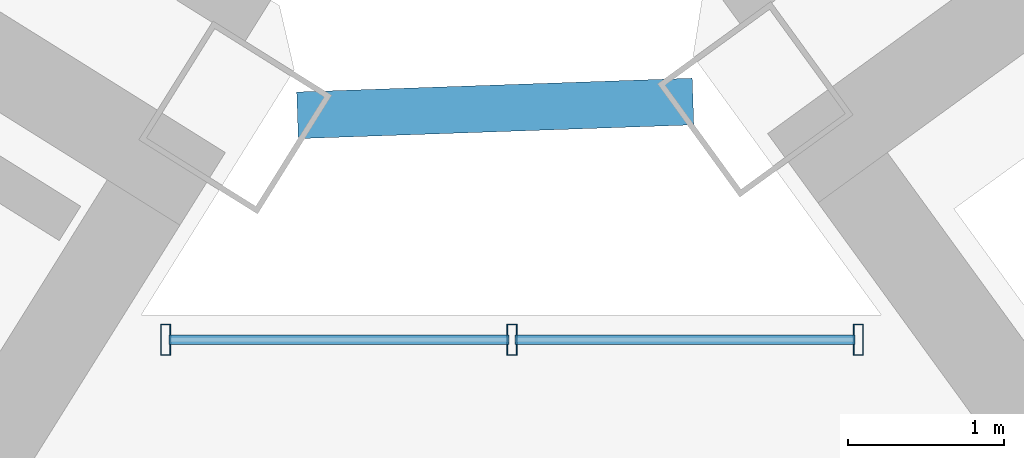
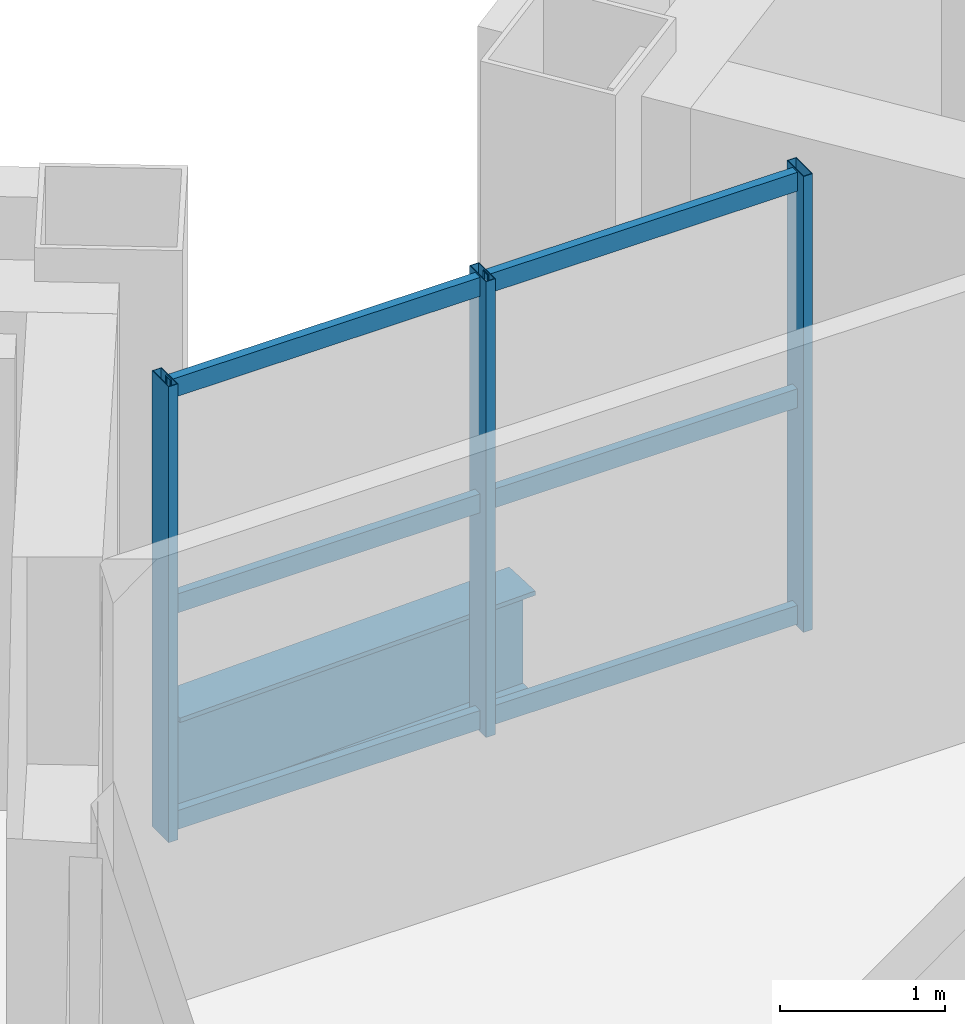
# One storey, part 12 of 25: 9 members, 1 beam, 1 element without a shape of its own.
"""IFC4 building model written with IfcOpenShell, lengths in metres."""

from ifc_helpers import new_model, si_unit, direction, frame, origin, origin_2d, place, context, subcontext, project, spatial, hollow_rectangle, i_section, extrude, source, transform, mapped, material, material_profile, profile_set, type_object, element, aggregate, save


model = new_model("IFC4")

# Units and contexts
model_context = context("Model", 3, precision=1e-05, world=origin(), true_north=direction((0.0, 1.0)))
body_context = subcontext(model_context, "Body", "Model", "MODEL_VIEW")
ifc_project = project(units=[si_unit("LENGTHUNIT", "METRE"), si_unit("AREAUNIT", "SQUARE_METRE"), si_unit("VOLUMEUNIT", "CUBIC_METRE"), si_unit("PLANEANGLEUNIT", "RADIAN"), si_unit("MASSUNIT", "GRAM", prefix="KILO")], contexts=[model_context])

# Site, building, storey
site_placement = place(None, origin())
site = spatial("IfcSite", under=ifc_project, at=site_placement, CompositionType="ELEMENT")
building_placement = place(site_placement, origin())
building = spatial("IfcBuilding", under=site, at=building_placement, Name="Tlacorven Tower", CompositionType="ELEMENT")
storey_placement = place(building_placement, frame((0.0, 0.0, 162.300048828125)))
storey = spatial("IfcBuildingStorey", under=building, at=storey_placement, Name="L41", CompositionType="ELEMENT", Elevation=162.300048828125)

# Beam
ifc_material_1 = material(Name="Steel S355J2", Category="steel")
ifc_material_profile_1 = material_profile(ifc_material_1, i_section(OverallWidth=0.300048828125, OverallDepth=0.800048828125, WebThickness=0.017578125, FlangeThickness=0.032958984375, at=origin_2d()), Name="HEB 800")
ifc_profile_set_1 = profile_set([ifc_material_profile_1], Name="Steel S355J2")
beam_type = type_object("IfcBeamType", Name="BM-POD-800", PredefinedType="BEAM", material=ifc_profile_set_1)
shared_shape_1 = source(origin(), body_context, "Body", "SweptSolid", [
    extrude(i_section(OverallWidth=0.300048828125, OverallDepth=0.800048828125, WebThickness=0.017578125, FlangeThickness=0.032958984375, at=origin_2d()), origin(), (0.0, 0.0, 1.0), 2.542724609375),
])
beam_placement = place(storey_placement, frame((41.1826171875, 24.482421875, -0.650146484375), z_axis=(0.999392467766, 0.034852480142, 0.0), x_axis=(-0.034852480142, 0.999392467766, 0.0)))
element("IfcBeam", 1, at=beam_placement, inside=storey, type_object=beam_type, Name="L41 Knuckle Link Girder 1", PredefinedType="BEAM", context=body_context, shape_type="MappedRepresentation", body=[
    mapped(shared_shape_1, transform((0.0, 0.0, 0.0), scale=1.0)),
])

# Curtain wall, members
ifc_material_2 = material(Name="Dark solar low-E double glazing in aluminium frame", Category="aluminium")
curtain_wall_type = type_object("IfcCurtainWallType", Name="CW-TWR-MID", PredefinedType="USERDEFINED", material=ifc_material_2)
curtain_wall_placement = place(storey_placement, origin())
curtain_wall = element("IfcCurtainWall", 2, at=curtain_wall_placement, inside=storey, type_object=curtain_wall_type, Name="L41 CW-TWR-MID Curtain Wall 189", ObjectType="UNITISED CURTAIN WALL", PredefinedType="USERDEFINED")
ifc_material_3 = material(Name="Aluminium 6063-T6 anodised", Category="aluminium")
ifc_material_profile_2 = material_profile(ifc_material_3, hollow_rectangle(XDim=0.06494140625, YDim=0.199951171875, WallThickness=0.00439453125, at=origin_2d()), Name="ALU MULLION 65X200")
ifc_profile_set_2 = profile_set([ifc_material_profile_2], Name="Aluminium 6063-T6 anodised")
member_type_1 = type_object("IfcMemberType", Name="CWM-02", PredefinedType="MULLION", material=ifc_profile_set_2)
shared_shape_2 = source(origin(), body_context, "Body", "SweptSolid", [
    extrude(hollow_rectangle(XDim=0.06494140625, YDim=0.199951171875, WallThickness=0.00439453125, at=origin_2d()), origin(), (0.0, 0.0, 1.0), 3.3798828125),
])
member_1_placement = place(storey_placement, frame((40.33544921875, 23.0400390625, -0.02001953125), z_axis=(0.0, 0.0, 1.0), x_axis=(1.0, 0.0, 0.0)))
member_1 = element("IfcMember", 3, at=member_1_placement, type_object=member_type_1, Name="CW-L41-189 Mullion 1", PredefinedType="MULLION", context=body_context, shape_type="MappedRepresentation", body=[
    mapped(shared_shape_2, transform((0.0, 0.0, 0.0), scale=1.0)),
])
member_2_placement = place(storey_placement, frame((42.560791015625, 23.0400390625, -0.02001953125), z_axis=(0.0, 0.0, 1.0), x_axis=(1.0, 0.0, 0.0)))
member_2 = element("IfcMember", 4, at=member_2_placement, type_object=member_type_1, Name="CW-L41-189 Mullion 2", PredefinedType="MULLION", context=body_context, shape_type="MappedRepresentation", body=[
    mapped(shared_shape_2, transform((0.0, 0.0, 0.0), scale=1.0)),
])
member_3_placement = place(storey_placement, frame((44.7861328125, 23.0400390625, -0.02001953125), z_axis=(0.0, 0.0, 1.0), x_axis=(1.0, 0.0, 0.0)))
member_3 = element("IfcMember", 5, at=member_3_placement, type_object=member_type_1, Name="CW-L41-189 Mullion 3", PredefinedType="MULLION", context=body_context, shape_type="MappedRepresentation", body=[
    mapped(shared_shape_2, transform((0.0, 0.0, 0.0), scale=1.0)),
])
ifc_material_profile_3 = material_profile(ifc_material_3, hollow_rectangle(XDim=0.06005859375, YDim=0.139892578125, WallThickness=0.00390625, at=origin_2d()), Name="ALU TRANSOM 60X140")
ifc_profile_set_3 = profile_set([ifc_material_profile_3], Name="Aluminium 6063-T6 anodised")
member_type_2 = type_object("IfcMemberType", Name="CWT-02", PredefinedType="USERDEFINED", material=ifc_profile_set_3)
shared_shape_3 = source(origin(), body_context, "Body", "SweptSolid", [
    extrude(hollow_rectangle(XDim=0.06005859375, YDim=0.139892578125, WallThickness=0.00390625, at=origin_2d()), origin(), (0.0, 0.0, 1.0), 2.184326171875),
])
member_4_placement = place(storey_placement, frame((40.35595703125, 23.0400390625, 0.070068359375), z_axis=(1.0, 0.0, 0.0), x_axis=(0.0, 1.0, 0.0)))
member_4 = element("IfcMember", 6, at=member_4_placement, type_object=member_type_2, Name="CW-L41-189 Transom 1", ObjectType="TRANSOM", PredefinedType="USERDEFINED", context=body_context, shape_type="MappedRepresentation", body=[
    mapped(shared_shape_3, transform((0.0, 0.0, 0.0), scale=1.0)),
])
member_5_placement = place(storey_placement, frame((40.35595703125, 23.0400390625, 1.675048828125), z_axis=(1.0, 0.0, 0.0), x_axis=(0.0, 1.0, 0.0)))
member_5 = element("IfcMember", 7, at=member_5_placement, type_object=member_type_2, Name="CW-L41-189 Transom 2", ObjectType="TRANSOM", PredefinedType="USERDEFINED", context=body_context, shape_type="MappedRepresentation", body=[
    mapped(shared_shape_3, transform((0.0, 0.0, 0.0), scale=1.0)),
])
member_6_placement = place(storey_placement, frame((40.35595703125, 23.0400390625, 3.280029296875), z_axis=(1.0, 0.0, 0.0), x_axis=(0.0, 1.0, 0.0)))
member_6 = element("IfcMember", 8, at=member_6_placement, type_object=member_type_2, Name="CW-L41-189 Transom 3", ObjectType="TRANSOM", PredefinedType="USERDEFINED", context=body_context, shape_type="MappedRepresentation", body=[
    mapped(shared_shape_3, transform((0.0, 0.0, 0.0), scale=1.0)),
])
member_7_placement = place(storey_placement, frame((42.581298828125, 23.0400390625, 0.070068359375), z_axis=(1.0, 0.0, 0.0), x_axis=(0.0, 1.0, 0.0)))
member_7 = element("IfcMember", 9, at=member_7_placement, type_object=member_type_2, Name="CW-L41-189 Transom 4", ObjectType="TRANSOM", PredefinedType="USERDEFINED", context=body_context, shape_type="MappedRepresentation", body=[
    mapped(shared_shape_3, transform((0.0, 0.0, 0.0), scale=1.0)),
])
member_8_placement = place(storey_placement, frame((42.581298828125, 23.0400390625, 1.675048828125), z_axis=(1.0, 0.0, 0.0), x_axis=(0.0, 1.0, 0.0)))
member_8 = element("IfcMember", 10, at=member_8_placement, type_object=member_type_2, Name="CW-L41-189 Transom 5", ObjectType="TRANSOM", PredefinedType="USERDEFINED", context=body_context, shape_type="MappedRepresentation", body=[
    mapped(shared_shape_3, transform((0.0, 0.0, 0.0), scale=1.0)),
])
member_9_placement = place(storey_placement, frame((42.581298828125, 23.0400390625, 3.280029296875), z_axis=(1.0, 0.0, 0.0), x_axis=(0.0, 1.0, 0.0)))
member_9 = element("IfcMember", 11, at=member_9_placement, type_object=member_type_2, Name="CW-L41-189 Transom 6", ObjectType="TRANSOM", PredefinedType="USERDEFINED", context=body_context, shape_type="MappedRepresentation", body=[
    mapped(shared_shape_3, transform((0.0, 0.0, 0.0), scale=1.0)),
])
aggregate(curtain_wall, [member_1, member_2, member_3, member_4, member_5, member_6, member_7, member_8, member_9])

save(model, "model.ifc")
